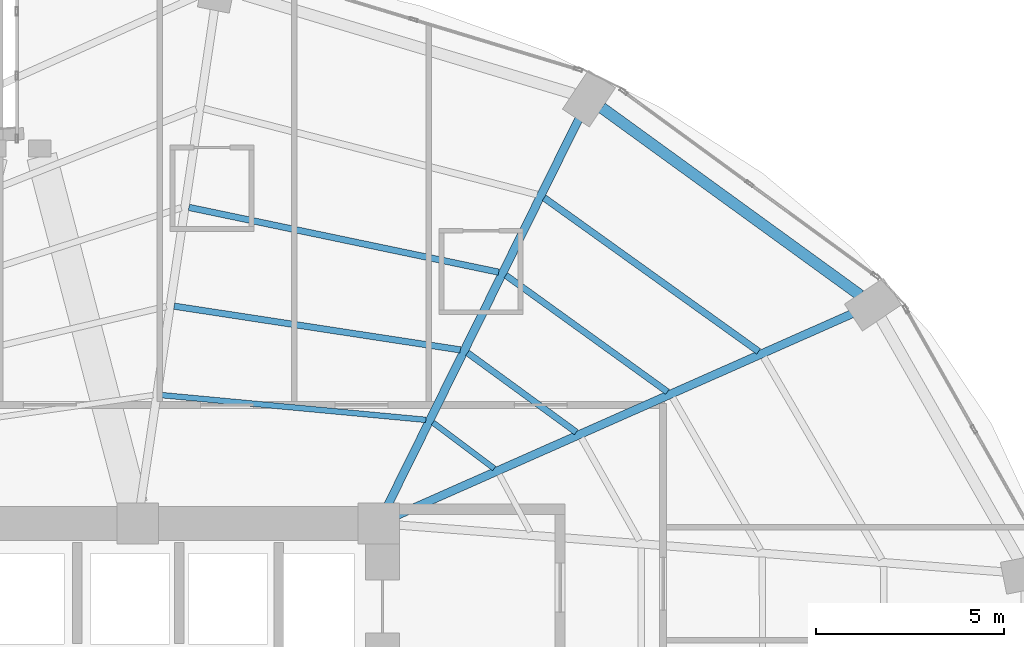
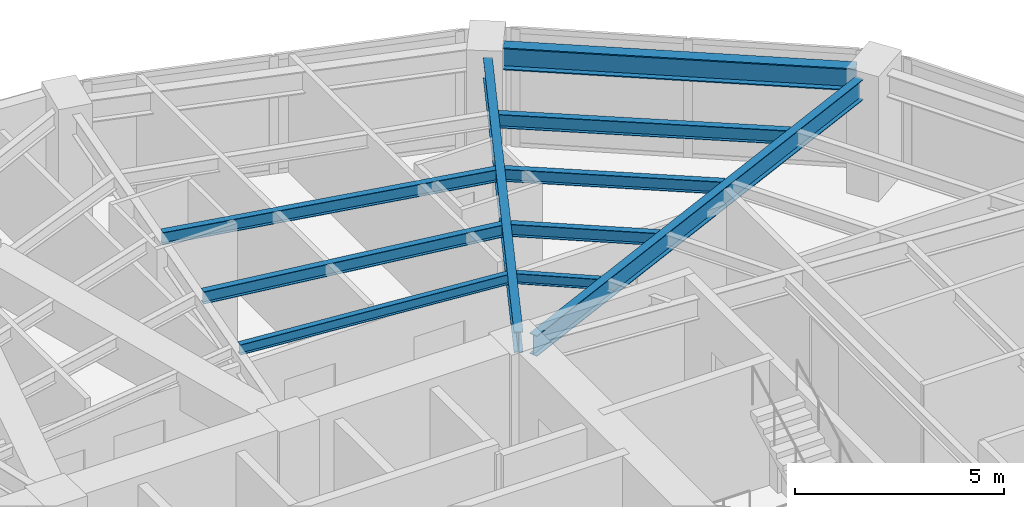
# One storey, part 17 of 25: 10 beams.
"""IFC4 building model written with IfcOpenShell, lengths in metres."""

from ifc_helpers import new_model, si_unit, direction, frame, origin, origin_2d, place, context, subcontext, project, spatial, i_section, extrude, material, material_profile, profile_set, type_object, element, save


model = new_model("IFC4")

# Units and contexts
model_context = context("Model", 3, precision=1e-05, world=origin(), true_north=direction((0.0, 1.0)))
body_context = subcontext(model_context, "Body", "Model", "MODEL_VIEW")
ifc_project = project(units=[si_unit("LENGTHUNIT", "METRE"), si_unit("AREAUNIT", "SQUARE_METRE"), si_unit("VOLUMEUNIT", "CUBIC_METRE"), si_unit("PLANEANGLEUNIT", "RADIAN"), si_unit("MASSUNIT", "GRAM", prefix="KILO")], contexts=[model_context])

# Site, building, storey
site_placement = place(None, origin())
site = spatial("IfcSite", under=ifc_project, at=site_placement, CompositionType="ELEMENT")
building_placement = place(site_placement, origin())
building = spatial("IfcBuilding", under=site, at=building_placement, Name="Lazwardi Medical Tower", CompositionType="ELEMENT")
storey_placement = place(building_placement, frame((0.0, 0.0, 47.087890625)))
storey = spatial("IfcBuildingStorey", under=building, at=storey_placement, Name="L11", CompositionType="ELEMENT", Elevation=47.087890625)

# Beams
ifc_material = material(Name="Steel S355", Category="steel")
ifc_material_profile_1 = material_profile(ifc_material, i_section(OverallWidth=0.300048828125, OverallDepth=0.64990234375, WebThickness=0.01611328125, FlangeThickness=0.031005859375, at=origin_2d()), Name="HEB 650")
ifc_profile_set_1 = profile_set([ifc_material_profile_1], Name="Steel S355")
beam_type_1 = type_object("IfcBeamType", Name="BM-RB-Z1", PredefinedType="BEAM", material=ifc_profile_set_1)
beam_1_placement = place(storey_placement, frame((58.3798828125, 41.660888671875, 3.10302734375), z_axis=(-0.809407079515, 0.587247971159, 0.0), x_axis=(-0.587247971159, -0.809407079515, 0.0)))
element("IfcBeam", 1, at=beam_1_placement, inside=storey, type_object=beam_type_1, Name="Ring beam RB-02 B06 L11", PredefinedType="BEAM", context=body_context, shape_type="SweptSolid", body=[
    extrude(i_section(OverallWidth=0.300048828125, OverallDepth=0.64990234375, WebThickness=0.01611328125, FlangeThickness=0.031005859375, at=origin_2d()), origin(), (0.0, 0.0, 1.0), 8.473876953125),
])
ifc_material_profile_2 = material_profile(ifc_material, i_section(OverallWidth=0.219970703125, OverallDepth=0.60009765625, WebThickness=0.011962890625, FlangeThickness=0.01904296875, at=origin_2d()), Name="IPE 600")
ifc_profile_set_2 = profile_set([ifc_material_profile_2], Name="Steel S355")
beam_type_2 = type_object("IfcBeamType", Name="BM-RG-W1", PredefinedType="BEAM", material=ifc_profile_set_2)
beam_2_placement = place(storey_placement, frame((58.189697265625, 41.17919921875, 3.128173828125), z_axis=(-0.914252189566, -0.405145571214, 0.0), x_axis=(0.405145571214, -0.914252189566, 0.0)))
element("IfcBeam", 2, at=beam_2_placement, inside=storey, type_object=beam_type_2, Name="Radial girder RG-02 R06 L11", PredefinedType="BEAM", context=body_context, shape_type="SweptSolid", body=[
    extrude(i_section(OverallWidth=0.219970703125, OverallDepth=0.60009765625, WebThickness=0.011962890625, FlangeThickness=0.01904296875, at=origin_2d()), origin(), (0.0, 0.0, 1.0), 13.235595703125),
])
beam_3_placement = place(storey_placement, frame((50.923828125, 46.364013671875, 3.128173828125), z_axis=(-0.443336723706, -0.896355146922, 0.0), x_axis=(0.896355146922, -0.443336723706, 0.0)))
element("IfcBeam", 3, at=beam_3_placement, inside=storey, type_object=beam_type_2, Name="Radial girder RG-02 R07 L11", PredefinedType="BEAM", context=body_context, shape_type="SweptSolid", body=[
    extrude(i_section(OverallWidth=0.219970703125, OverallDepth=0.60009765625, WebThickness=0.011962890625, FlangeThickness=0.01904296875, at=origin_2d()), origin(), (0.0, 0.0, 1.0), 11.4736328125),
])
ifc_material_profile_3 = material_profile(ifc_material, i_section(OverallWidth=0.179931640625, OverallDepth=0.39990234375, WebThickness=0.008544921875, FlangeThickness=0.013427734375, at=origin_2d()), Name="IPE 400")
ifc_profile_set_3 = profile_set([ifc_material_profile_3], Name="Steel S355")
beam_type_3 = type_object("IfcBeamType", Name="BM-SJ-01", PredefinedType="JOIST", material=ifc_profile_set_3)
beam_4_placement = place(storey_placement, frame((55.68408203125, 40.16796875, 3.22802734375), z_axis=(-0.812901036873, 0.582401840872, 0.0), x_axis=(-0.582401840872, -0.812901036873, 0.0)))
element("IfcBeam", 4, at=beam_4_placement, inside=storey, type_object=beam_type_3, Name="Secondary joist SJ-01 R1 B06 L11", PredefinedType="JOIST", context=body_context, shape_type="SweptSolid", body=[
    extrude(i_section(OverallWidth=0.179931640625, OverallDepth=0.39990234375, WebThickness=0.008544921875, FlangeThickness=0.013427734375, at=origin_2d()), origin(), (0.0, 0.0, 1.0), 7.002197265625),
])
ifc_material_profile_4 = material_profile(ifc_material, i_section(OverallWidth=0.169921875, OverallDepth=0.360107421875, WebThickness=0.008056640625, FlangeThickness=0.0126953125, at=origin_2d()), Name="IPE 360")
ifc_profile_set_4 = profile_set([ifc_material_profile_4], Name="Steel S355")
beam_type_4 = type_object("IfcBeamType", Name="BM-SJ-02", PredefinedType="JOIST", material=ifc_profile_set_4)
beam_5_placement = place(storey_placement, frame((53.26416015625, 39.095703125, 3.248046875), z_axis=(-0.811142764961, 0.584848198127, 0.0), x_axis=(-0.584848198127, -0.811142764961, 0.0)))
element("IfcBeam", 5, at=beam_5_placement, inside=storey, type_object=beam_type_4, Name="Secondary joist SJ-02 R2 B06 L11", PredefinedType="JOIST", context=body_context, shape_type="SweptSolid", body=[
    extrude(i_section(OverallWidth=0.169921875, OverallDepth=0.360107421875, WebThickness=0.008056640625, FlangeThickness=0.0126953125, at=origin_2d()), origin(), (0.0, 0.0, 1.0), 5.28857421875),
])
beam_6_placement = place(storey_placement, frame((48.786376953125, 42.271728515625, 3.248046875), z_axis=(-0.978809182847, 0.204774470026, 0.0), x_axis=(-0.204774470026, -0.978809182847, 0.0)))
element("IfcBeam", 6, at=beam_6_placement, inside=storey, type_object=beam_type_4, Name="Secondary joist SJ-02 R2 B07 L11", PredefinedType="JOIST", context=body_context, shape_type="SweptSolid", body=[
    extrude(i_section(OverallWidth=0.169921875, OverallDepth=0.360107421875, WebThickness=0.008056640625, FlangeThickness=0.0126953125, at=origin_2d()), origin(), (0.0, 0.0, 1.0), 8.40283203125),
])
beam_7_placement = place(storey_placement, frame((50.844482421875, 38.023681640625, 3.248046875), z_axis=(-0.80770129933, 0.589591902132, 0.0), x_axis=(-0.589591902132, -0.80770129933, 0.0)))
element("IfcBeam", 7, at=beam_7_placement, inside=storey, type_object=beam_type_4, Name="Secondary joist SJ-02 R3 B06 L11", PredefinedType="JOIST", context=body_context, shape_type="SweptSolid", body=[
    extrude(i_section(OverallWidth=0.169921875, OverallDepth=0.360107421875, WebThickness=0.008056640625, FlangeThickness=0.0126953125, at=origin_2d()), origin(), (0.0, 0.0, 1.0), 3.5751953125),
])
beam_8_placement = place(storey_placement, frame((47.76806640625, 40.209228515625, 3.248046875), z_axis=(-0.988535611365, 0.150987897074, 0.0), x_axis=(-0.150987897074, -0.988535611365, 0.0)))
element("IfcBeam", 8, at=beam_8_placement, inside=storey, type_object=beam_type_4, Name="Secondary joist SJ-02 R3 B07 L11", PredefinedType="JOIST", context=body_context, shape_type="SweptSolid", body=[
    extrude(i_section(OverallWidth=0.169921875, OverallDepth=0.360107421875, WebThickness=0.008056640625, FlangeThickness=0.0126953125, at=origin_2d()), origin(), (0.0, 0.0, 1.0), 7.68701171875),
])
ifc_material_profile_5 = material_profile(ifc_material, i_section(OverallWidth=0.14990234375, OverallDepth=0.300048828125, WebThickness=0.007080078125, FlangeThickness=0.0107421875, at=origin_2d()), Name="IPE 300")
ifc_profile_set_5 = profile_set([ifc_material_profile_5], Name="Steel S355")
beam_type_5 = type_object("IfcBeamType", Name="BM-SJ-03", PredefinedType="JOIST", material=ifc_profile_set_5)
beam_9_placement = place(storey_placement, frame((48.667236328125, 37.0595703125, 3.278076171875), z_axis=(-0.800115247939, 0.599846305328, 0.0), x_axis=(-0.599846305328, -0.800115247939, 0.0)))
element("IfcBeam", 9, at=beam_9_placement, inside=storey, type_object=beam_type_5, Name="Secondary joist SJ-03 R4 B06 L11", PredefinedType="JOIST", context=body_context, shape_type="SweptSolid", body=[
    extrude(i_section(OverallWidth=0.14990234375, OverallDepth=0.300048828125, WebThickness=0.007080078125, FlangeThickness=0.0107421875, at=origin_2d()), origin(), (0.0, 0.0, 1.0), 2.033447265625),
])
beam_10_placement = place(storey_placement, frame((46.851806640625, 38.35205078125, 3.278076171875), z_axis=(-0.995649263748, 0.093180167407, 0.0), x_axis=(-0.093180167407, -0.995649263748, 0.0)))
element("IfcBeam", 10, at=beam_10_placement, inside=storey, type_object=beam_type_5, Name="Secondary joist SJ-03 R4 B07 L11", PredefinedType="JOIST", context=body_context, shape_type="SweptSolid", body=[
    extrude(i_section(OverallWidth=0.14990234375, OverallDepth=0.300048828125, WebThickness=0.007080078125, FlangeThickness=0.0107421875, at=origin_2d()), origin(), (0.0, 0.0, 1.0), 7.06640625),
])

save(model, "model.ifc")
